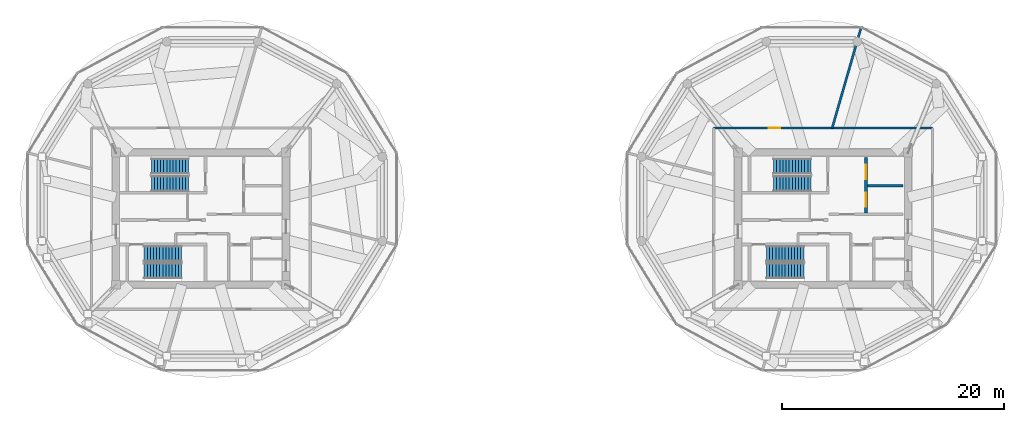
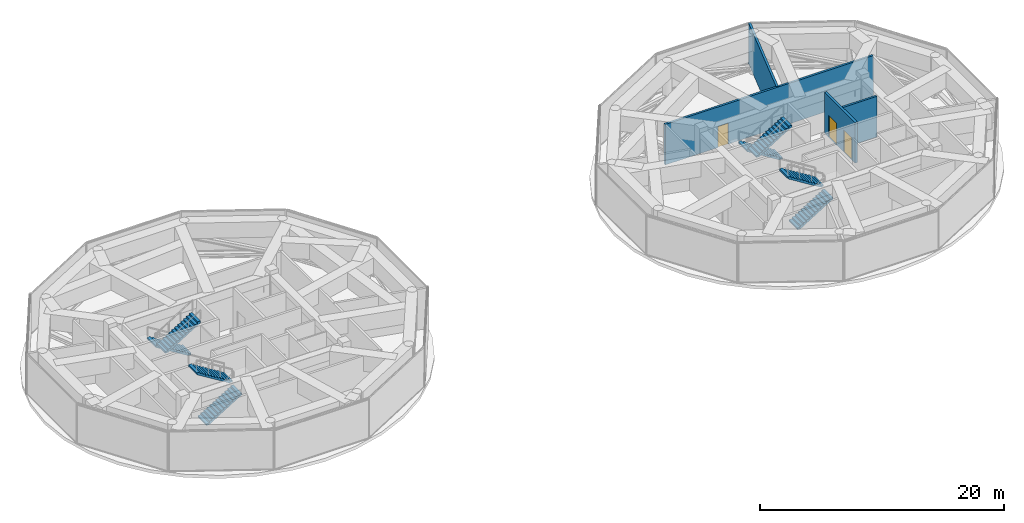
# One storey, part 16 of 20: 8 stair flights, 4 walls, 3 doors, 3 openings, 4 elements without a shape of their own.
"""IFC4 building model written with IfcOpenShell, lengths in metres."""

from ifc_helpers import new_model, si_unit, direction, frame, frame_2d, origin, place, context, subcontext, project, spatial, polyline, rectangle, outline, extrude, source, transform, mapped, material, layer, layer_set, type_object, type_shapes, element, fill, aggregate, save


model = new_model("IFC4")

# Units and contexts
model_context = context("Model", 3, precision=1e-05, world=origin(), true_north=direction((0.0, 1.0)))
body_context = subcontext(model_context, "Body", "Model", "MODEL_VIEW")
ifc_project = project(units=[si_unit("LENGTHUNIT", "METRE"), si_unit("AREAUNIT", "SQUARE_METRE"), si_unit("VOLUMEUNIT", "CUBIC_METRE"), si_unit("PLANEANGLEUNIT", "RADIAN"), si_unit("MASSUNIT", "GRAM", prefix="KILO")], contexts=[model_context])

# Site, building, storey
site_placement = place(None, origin())
site = spatial("IfcSite", under=ifc_project, at=site_placement, CompositionType="ELEMENT")
building_placement = place(site_placement, origin())
building = spatial("IfcBuilding", under=site, at=building_placement, Name="Norrkilde Senior Care Towers", CompositionType="ELEMENT")
storey_placement = place(building_placement, frame((0.0, 0.0, 186.14990234375)))
storey = spatial("IfcBuildingStorey", under=building, at=storey_placement, Name="L58", CompositionType="ELEMENT", Elevation=186.14990234375)

# Wall, openings, doors
ifc_material_1 = material(Name="Concrete C45/55", Category="concrete")
ifc_layer_1 = layer(ifc_material_1, 0.239990234375)
ifc_layer_set_1 = layer_set([ifc_layer_1], Name="Concrete C45/55")
wall_type_1 = type_object("IfcWallType", Name="Lift and Plant Rated Enclosure Partition 240", PredefinedType="PARTITIONING", material=ifc_layer_set_1)
shared_shape_1 = source(origin(), body_context, "Body", "SweptSolid", [
    extrude(rectangle(XDim=5.0, YDim=0.239990234375, at=frame_2d((2.5, 0.0))), origin(), (0.0, 0.0, 1.0), 4.065185546875),
])
type_shapes(wall_type_1, [shared_shape_1])
wall_1_placement = place(storey_placement, frame((31.860107421875, 0.5, 0.0), z_axis=(0.0, 0.0, 1.0), x_axis=(0.0, 1.0, 0.0)))
wall_1 = element("IfcWall", 1, at=wall_1_placement, inside=storey, type_object=wall_type_1, Name="WL-INT-L58-E-FFLE", PredefinedType="PARTITIONING", context=body_context, shape_type="MappedRepresentation", body=[
    mapped(shared_shape_1, transform((0.0, 0.0, 0.0), x_axis=(1.0, 0.0, 0.0), y_axis=(0.0, 1.0, 0.0), z_axis=(0.0, 0.0, 1.0), scale=1.0)),
])
opening_1_placement = place(wall_1_placement, frame((3.050048828125, 0.0, 0.0)))
opening_1 = element("IfcOpeningElement", 2, at=opening_1_placement, cuts=wall_1, Name="Opening LD-02", PredefinedType="OPENING", context=body_context, shape_type="SweptSolid", body=[
    extrude(rectangle(XDim=1.300048828125, YDim=2.199951171875, at=frame_2d((0.64990234375, 1.10009765625))), frame((0.0, 0.1298828125, 0.0), z_axis=(0.0, -1.0, 0.0), x_axis=(1.0, 0.0, 0.0)), (0.0, 0.0, 1.0), 0.260009765625),
])
opening_2_placement = place(wall_1_placement, frame((0.550048828125, 0.0, 0.0)))
opening_2 = element("IfcOpeningElement", 3, at=opening_2_placement, cuts=wall_1, Name="Opening LD-02", PredefinedType="OPENING", context=body_context, shape_type="SweptSolid", body=[
    extrude(rectangle(XDim=1.300048828125, YDim=2.199951171875, at=frame_2d((0.64990234375, 1.10009765625))), frame((0.0, 0.1298828125, 0.0), z_axis=(0.0, -1.0, 0.0), x_axis=(1.0, 0.0, 0.0)), (0.0, 0.0, 1.0), 0.260009765625),
])
ifc_material_2 = material(Name="Stainless Steel", Category="steel")
door_type_1 = type_object("IfcDoorType", Name="Stretcher and FFL Landing Sliding Door 1300x2200", OperationType="NOTDEFINED", PredefinedType="DOOR", material=ifc_material_2)
shared_shape_2 = source(origin(), body_context, "Body", "SweptSolid", [
    extrude(rectangle(XDim=1.300048828125, YDim=2.199951171875, at=frame_2d((0.64990234375, 1.10009765625))), frame((0.0, 0.02490234375, 0.0), z_axis=(0.0, -1.0, 0.0), x_axis=(1.0, 0.0, 0.0)), (0.0, 0.0, 1.0), 0.050048828125),
])
type_shapes(door_type_1, [shared_shape_2])
door_1_placement = place(opening_1_placement, origin())
door_1 = element("IfcDoor", 4, at=door_1_placement, inside=storey, type_object=door_type_1, Name="L58 Firefighting Lift E1 Landing Door", OperationType="SLIDING_TO_LEFT", OverallHeight=2.199951171875, OverallWidth=1.300048828125, PredefinedType="DOOR", context=body_context, shape_type="MappedRepresentation", body=[
    mapped(shared_shape_2, transform((0.0, 0.0, 0.0), x_axis=(1.0, 0.0, 0.0), y_axis=(0.0, 1.0, 0.0), z_axis=(0.0, 0.0, 1.0), scale=1.0)),
])
fill(opening_1, door_1)
door_2_placement = place(opening_2_placement, origin())
door_2 = element("IfcDoor", 5, at=door_2_placement, inside=storey, type_object=door_type_1, Name="L58 Stretcher Lift E1 Landing Door", OperationType="SLIDING_TO_RIGHT", OverallHeight=2.199951171875, OverallWidth=1.300048828125, PredefinedType="DOOR", context=body_context, shape_type="MappedRepresentation", body=[
    mapped(shared_shape_2, transform((0.0, 0.0, 0.0), x_axis=(1.0, 0.0, 0.0), y_axis=(0.0, 1.0, 0.0), z_axis=(0.0, 0.0, 1.0), scale=1.0)),
])
fill(opening_2, door_2)

# Wall
ifc_layer_2 = layer(ifc_material_1, 0.199951171875)
ifc_layer_set_2 = layer_set([ifc_layer_2], Name="Concrete C45/55")
wall_type_2 = type_object("IfcWallType", Name="Shaft Division and Plant Partition 200", PredefinedType="PARTITIONING", material=ifc_layer_set_2)
shared_shape_3 = source(origin(), body_context, "Body", "SweptSolid", [
    extrude(rectangle(XDim=3.199951171875, YDim=0.199951171875, at=frame_2d((1.60009765625, 0.0))), origin(), (0.0, 0.0, 1.0), 4.065185546875),
])
wall_2_placement = place(storey_placement, frame((32.0, 2.949951171875, 0.0), z_axis=(0.0, 0.0, 1.0), x_axis=(1.0, 0.0, 0.0)))
element("IfcWall", 6, at=wall_2_placement, inside=storey, type_object=wall_type_2, Name="WL-INT-L58-E-FFLDIV", PredefinedType="PARTITIONING", context=body_context, shape_type="MappedRepresentation", body=[
    mapped(shared_shape_3, transform((0.0, 0.0, 0.0), x_axis=(1.0, 0.0, 0.0), y_axis=(0.0, 1.0, 0.0), z_axis=(0.0, 0.0, 1.0), scale=1.0)),
])

# Wall, opening, door
shared_shape_4 = source(origin(), body_context, "Body", "SweptSolid", [
    extrude(rectangle(XDim=19.7001953125, YDim=0.199951171875, at=frame_2d((9.85009765625, 0.0))), origin(), (0.0, 0.0, 1.0), 4.065185546875),
])
wall_3_placement = place(storey_placement, frame((18.14990234375, 8.14990234375, 0.0), z_axis=(0.0, 0.0, 1.0), x_axis=(1.0, 0.0, 0.0)))
wall_3 = element("IfcWall", 7, at=wall_3_placement, inside=storey, type_object=wall_type_2, Name="WL-INT-L58-E-PCR-N", PredefinedType="PARTITIONING", context=body_context, shape_type="MappedRepresentation", body=[
    mapped(shared_shape_4, transform((0.0, 0.0, 0.0), x_axis=(1.0, 0.0, 0.0), y_axis=(0.0, 1.0, 0.0), z_axis=(0.0, 0.0, 1.0), scale=1.0)),
])
opening_3_placement = place(wall_3_placement, frame((4.968017578125, 0.0, 0.0)))
opening_3 = element("IfcOpeningElement", 8, at=opening_3_placement, cuts=wall_3, Name="Opening D-10", PredefinedType="OPENING", context=body_context, shape_type="SweptSolid", body=[
    extrude(rectangle(XDim=1.0, YDim=2.10009765625, at=frame_2d((0.5, 1.050048828125))), frame((0.0, 0.10986328125, 0.0), z_axis=(0.0, -1.0, 0.0), x_axis=(1.0, 0.0, 0.0)), (0.0, 0.0, 1.0), 0.219970703125),
])
ifc_material_3 = material(Name="Galvanised Painted Steel", Category="steel")
door_type_2 = type_object("IfcDoorType", Name="Plant and Riser Rated Door 1000x2100", OperationType="NOTDEFINED", PredefinedType="DOOR", material=ifc_material_3)
shared_shape_5 = source(origin(), body_context, "Body", "SweptSolid", [
    extrude(rectangle(XDim=1.0, YDim=2.10009765625, at=frame_2d((0.5, 1.050048828125))), frame((0.0, 0.02490234375, 0.0), z_axis=(0.0, -1.0, 0.0), x_axis=(1.0, 0.0, 0.0)), (0.0, 0.0, 1.0), 0.050048828125),
])
type_shapes(door_type_2, [shared_shape_5])
door_3_placement = place(opening_3_placement, frame((1.0, 0.0, 0.0), z_axis=(0.0, 0.0, 1.0), x_axis=(-1.0, 0.0, 0.0)))
door_3 = element("IfcDoor", 9, at=door_3_placement, inside=storey, type_object=door_type_2, Name="L58 Dedicated Outdoor Air Handling Unit Room Door", OperationType="SINGLE_SWING_LEFT", OverallHeight=2.10009765625, OverallWidth=1.0, PredefinedType="DOOR", context=body_context, shape_type="MappedRepresentation", body=[
    mapped(shared_shape_5, transform((0.0, 0.0, 0.0), x_axis=(1.0, 0.0, 0.0), y_axis=(0.0, 1.0, 0.0), z_axis=(0.0, 0.0, 1.0), scale=1.0)),
])
fill(opening_3, door_3)

# Wall
shared_shape_6 = source(origin(), body_context, "Body", "SweptSolid", [
    extrude(rectangle(XDim=9.449462890625, YDim=0.199951171875, at=frame_2d((4.724609375, 0.0))), origin(), (0.0, 0.0, 1.0), 4.065185546875),
])
type_shapes(wall_type_2, [shared_shape_3, shared_shape_4, shared_shape_6])
wall_4_placement = place(storey_placement, frame((28.811279296875, 8.14990234375, 0.0), z_axis=(0.0, 0.0, 1.0), x_axis=(0.276784966388, 0.96093188228, 0.0)))
element("IfcWall", 10, at=wall_4_placement, inside=storey, type_object=wall_type_2, Name="WL-INT-L58-E-PRAD-2-0", PredefinedType="PARTITIONING", context=body_context, shape_type="MappedRepresentation", body=[
    mapped(shared_shape_6, transform((0.0, 0.0, 0.0), x_axis=(1.0, 0.0, 0.0), y_axis=(0.0, 1.0, 0.0), z_axis=(0.0, 0.0, 1.0), scale=1.0)),
])

# Stair, stair flights
stair_type = type_object("IfcStairType", Name="Core Protected Dogleg Stair Refuge 4500", PredefinedType="HALF_TURN_STAIR", material=ifc_material_1)
stair_1_placement = place(storey_placement, origin())
stair_1 = element("IfcStair", 11, at=stair_1_placement, inside=storey, type_object=stair_type, Name="L58 Protected Core Stair W1", PredefinedType="HALF_TURN_STAIR")
stair_flight_type = type_object("IfcStairFlightType", Name="Core Protected Dogleg Stair Refuge 4500 Flight", PredefinedType="STRAIGHT", material=ifc_material_1)
stair_flight_1_placement = place(storey_placement, frame((-29.10009765625, 4.699951171875, 0.0), z_axis=(0.0, 0.0, 1.0), x_axis=(-1.0, 0.0, 0.0)))
stair_flight_1 = element("IfcStairFlight", 12, at=stair_flight_1_placement, type_object=stair_flight_type, Name="ST-W1 flight 1", NumberOfRisers=13, NumberOfTreads=12, PredefinedType="STRAIGHT", RiserHeight=0.173076923, TreadLength=0.28, context=body_context, shape_type="SweptSolid", body=[
    extrude(outline(polyline([(0.0, 0.0), (0.0, 0.173095703125), (0.280029296875, 0.173095703125), (0.280029296875, 0.34619140625), (0.56005859375, 0.34619140625), (0.56005859375, 0.519287109375), (0.840087890625, 0.519287109375), (0.840087890625, 0.6923828125), (1.1201171875, 0.6923828125), (1.1201171875, 0.865478515625), (1.39990234375, 0.865478515625), (1.39990234375, 1.03857421875), (1.679931640625, 1.03857421875), (1.679931640625, 1.21142578125), (1.9599609375, 1.21142578125), (1.9599609375, 1.384521484375), (2.239990234375, 1.384521484375), (2.239990234375, 1.5576171875), (2.52001953125, 1.5576171875), (2.52001953125, 1.730712890625), (2.800048828125, 1.730712890625), (2.800048828125, 1.90380859375), (3.080078125, 1.90380859375), (3.080078125, 2.076904296875), (3.360107421875, 2.076904296875), (3.360107421875, 2.25), (3.360107421875, 1.900634765625), (0.28515625, 0.0), (0.0, 0.0)])), frame((0.0, 0.699951171875, 0.0), z_axis=(0.0, -1.0, 0.0), x_axis=(1.0, 0.0, 0.0)), (0.0, 0.0, 1.0), 1.39990234375),
])
stair_flight_2_placement = place(storey_placement, frame((-32.4599609375, 3.14990234375, 2.25), z_axis=(0.0, 0.0, 1.0), x_axis=(1.0, 0.0, 0.0)))
stair_flight_2 = element("IfcStairFlight", 13, at=stair_flight_2_placement, type_object=stair_flight_type, Name="ST-W1 flight 2", NumberOfRisers=13, NumberOfTreads=12, PredefinedType="STRAIGHT", RiserHeight=0.173076923, TreadLength=0.28, context=body_context, shape_type="SweptSolid", body=[
    extrude(outline(polyline([(0.0, 0.0), (0.0, 0.173095703125), (0.280029296875, 0.173095703125), (0.280029296875, 0.34619140625), (0.56005859375, 0.34619140625), (0.56005859375, 0.519287109375), (0.840087890625, 0.519287109375), (0.840087890625, 0.6923828125), (1.1201171875, 0.6923828125), (1.1201171875, 0.865478515625), (1.39990234375, 0.865478515625), (1.39990234375, 1.03857421875), (1.679931640625, 1.03857421875), (1.679931640625, 1.21142578125), (1.9599609375, 1.21142578125), (1.9599609375, 1.384521484375), (2.239990234375, 1.384521484375), (2.239990234375, 1.5576171875), (2.52001953125, 1.5576171875), (2.52001953125, 1.730712890625), (2.800048828125, 1.730712890625), (2.800048828125, 1.90380859375), (3.080078125, 1.90380859375), (3.080078125, 2.076904296875), (3.360107421875, 2.076904296875), (3.360107421875, 2.25), (3.360107421875, 1.900634765625), (0.28515625, 0.0), (0.0, 0.0)])), frame((0.0, 0.699951171875, 0.0), z_axis=(0.0, -1.0, 0.0), x_axis=(1.0, 0.0, 0.0)), (0.0, 0.0, 1.0), 1.39990234375),
])
aggregate(stair_1, [stair_flight_1, stair_flight_2])

stair_2_placement = place(storey_placement, origin())
stair_2 = element("IfcStair", 14, at=stair_2_placement, inside=storey, type_object=stair_type, Name="L58 Protected Core Stair W2", PredefinedType="HALF_TURN_STAIR")
stair_flight_3_placement = place(storey_placement, frame((-33.10009765625, -4.699951171875, 0.0), z_axis=(0.0, 0.0, 1.0), x_axis=(1.0, 0.0, 0.0)))
stair_flight_3 = element("IfcStairFlight", 15, at=stair_flight_3_placement, type_object=stair_flight_type, Name="ST-W2 flight 1", NumberOfRisers=13, NumberOfTreads=12, PredefinedType="STRAIGHT", RiserHeight=0.173076923, TreadLength=0.28, context=body_context, shape_type="SweptSolid", body=[
    extrude(outline(polyline([(0.0, 0.0), (0.0, 0.173095703125), (0.280029296875, 0.173095703125), (0.280029296875, 0.34619140625), (0.56005859375, 0.34619140625), (0.56005859375, 0.519287109375), (0.840087890625, 0.519287109375), (0.840087890625, 0.6923828125), (1.1201171875, 0.6923828125), (1.1201171875, 0.865478515625), (1.39990234375, 0.865478515625), (1.39990234375, 1.03857421875), (1.679931640625, 1.03857421875), (1.679931640625, 1.21142578125), (1.9599609375, 1.21142578125), (1.9599609375, 1.384521484375), (2.239990234375, 1.384521484375), (2.239990234375, 1.5576171875), (2.52001953125, 1.5576171875), (2.52001953125, 1.730712890625), (2.800048828125, 1.730712890625), (2.800048828125, 1.90380859375), (3.080078125, 1.90380859375), (3.080078125, 2.076904296875), (3.360107421875, 2.076904296875), (3.360107421875, 2.25), (3.360107421875, 1.900634765625), (0.28515625, 0.0), (0.0, 0.0)])), frame((0.0, 0.699951171875, 0.0), z_axis=(0.0, -1.0, 0.0), x_axis=(1.0, 0.0, 0.0)), (0.0, 0.0, 1.0), 1.39990234375),
])
stair_flight_4_placement = place(storey_placement, frame((-29.739990234375, -3.14990234375, 2.25), z_axis=(0.0, 0.0, 1.0), x_axis=(-1.0, 0.0, 0.0)))
stair_flight_4 = element("IfcStairFlight", 16, at=stair_flight_4_placement, type_object=stair_flight_type, Name="ST-W2 flight 2", NumberOfRisers=13, NumberOfTreads=12, PredefinedType="STRAIGHT", RiserHeight=0.173076923, TreadLength=0.28, context=body_context, shape_type="SweptSolid", body=[
    extrude(outline(polyline([(0.0, 0.0), (0.0, 0.173095703125), (0.280029296875, 0.173095703125), (0.280029296875, 0.34619140625), (0.56005859375, 0.34619140625), (0.56005859375, 0.519287109375), (0.840087890625, 0.519287109375), (0.840087890625, 0.6923828125), (1.1201171875, 0.6923828125), (1.1201171875, 0.865478515625), (1.39990234375, 0.865478515625), (1.39990234375, 1.03857421875), (1.679931640625, 1.03857421875), (1.679931640625, 1.21142578125), (1.9599609375, 1.21142578125), (1.9599609375, 1.384521484375), (2.239990234375, 1.384521484375), (2.239990234375, 1.5576171875), (2.52001953125, 1.5576171875), (2.52001953125, 1.730712890625), (2.800048828125, 1.730712890625), (2.800048828125, 1.90380859375), (3.080078125, 1.90380859375), (3.080078125, 2.076904296875), (3.360107421875, 2.076904296875), (3.360107421875, 2.25), (3.360107421875, 1.900634765625), (0.28515625, 0.0), (0.0, 0.0)])), frame((0.0, 0.699951171875, 0.0), z_axis=(0.0, -1.0, 0.0), x_axis=(1.0, 0.0, 0.0)), (0.0, 0.0, 1.0), 1.39990234375),
])
aggregate(stair_2, [stair_flight_3, stair_flight_4])

stair_3_placement = place(storey_placement, origin())
stair_3 = element("IfcStair", 17, at=stair_3_placement, inside=storey, type_object=stair_type, Name="L58 Protected Core Stair E1", PredefinedType="HALF_TURN_STAIR")
stair_flight_5_placement = place(storey_placement, frame((26.89990234375, 4.699951171875, 0.0), z_axis=(0.0, 0.0, 1.0), x_axis=(-1.0, 0.0, 0.0)))
stair_flight_5 = element("IfcStairFlight", 18, at=stair_flight_5_placement, type_object=stair_flight_type, Name="ST-E1 flight 1", NumberOfRisers=13, NumberOfTreads=12, PredefinedType="STRAIGHT", RiserHeight=0.173076923, TreadLength=0.28, context=body_context, shape_type="SweptSolid", body=[
    extrude(outline(polyline([(0.0, 0.0), (0.0, 0.173095703125), (0.280029296875, 0.173095703125), (0.280029296875, 0.34619140625), (0.56005859375, 0.34619140625), (0.56005859375, 0.519287109375), (0.840087890625, 0.519287109375), (0.840087890625, 0.6923828125), (1.1201171875, 0.6923828125), (1.1201171875, 0.865478515625), (1.39990234375, 0.865478515625), (1.39990234375, 1.03857421875), (1.679931640625, 1.03857421875), (1.679931640625, 1.21142578125), (1.9599609375, 1.21142578125), (1.9599609375, 1.384521484375), (2.239990234375, 1.384521484375), (2.239990234375, 1.5576171875), (2.52001953125, 1.5576171875), (2.52001953125, 1.730712890625), (2.800048828125, 1.730712890625), (2.800048828125, 1.90380859375), (3.080078125, 1.90380859375), (3.080078125, 2.076904296875), (3.360107421875, 2.076904296875), (3.360107421875, 2.25), (3.360107421875, 1.900634765625), (0.28515625, 0.0), (0.0, 0.0)])), frame((0.0, 0.699951171875, 0.0), z_axis=(0.0, -1.0, 0.0), x_axis=(1.0, 0.0, 0.0)), (0.0, 0.0, 1.0), 1.39990234375),
])
stair_flight_6_placement = place(storey_placement, frame((23.5400390625, 3.14990234375, 2.25), z_axis=(0.0, 0.0, 1.0), x_axis=(1.0, 0.0, 0.0)))
stair_flight_6 = element("IfcStairFlight", 19, at=stair_flight_6_placement, type_object=stair_flight_type, Name="ST-E1 flight 2", NumberOfRisers=13, NumberOfTreads=12, PredefinedType="STRAIGHT", RiserHeight=0.173076923, TreadLength=0.28, context=body_context, shape_type="SweptSolid", body=[
    extrude(outline(polyline([(0.0, 0.0), (0.0, 0.173095703125), (0.280029296875, 0.173095703125), (0.280029296875, 0.34619140625), (0.56005859375, 0.34619140625), (0.56005859375, 0.519287109375), (0.840087890625, 0.519287109375), (0.840087890625, 0.6923828125), (1.1201171875, 0.6923828125), (1.1201171875, 0.865478515625), (1.39990234375, 0.865478515625), (1.39990234375, 1.03857421875), (1.679931640625, 1.03857421875), (1.679931640625, 1.21142578125), (1.9599609375, 1.21142578125), (1.9599609375, 1.384521484375), (2.239990234375, 1.384521484375), (2.239990234375, 1.5576171875), (2.52001953125, 1.5576171875), (2.52001953125, 1.730712890625), (2.800048828125, 1.730712890625), (2.800048828125, 1.90380859375), (3.080078125, 1.90380859375), (3.080078125, 2.076904296875), (3.360107421875, 2.076904296875), (3.360107421875, 2.25), (3.360107421875, 1.900634765625), (0.28515625, 0.0), (0.0, 0.0)])), frame((0.0, 0.699951171875, 0.0), z_axis=(0.0, -1.0, 0.0), x_axis=(1.0, 0.0, 0.0)), (0.0, 0.0, 1.0), 1.39990234375),
])
aggregate(stair_3, [stair_flight_5, stair_flight_6])

stair_4_placement = place(storey_placement, origin())
stair_4 = element("IfcStair", 20, at=stair_4_placement, inside=storey, type_object=stair_type, Name="L58 Protected Core Stair E2", PredefinedType="HALF_TURN_STAIR")
stair_flight_7_placement = place(storey_placement, frame((22.89990234375, -4.699951171875, 0.0), z_axis=(0.0, 0.0, 1.0), x_axis=(1.0, 0.0, 0.0)))
stair_flight_7 = element("IfcStairFlight", 21, at=stair_flight_7_placement, type_object=stair_flight_type, Name="ST-E2 flight 1", NumberOfRisers=13, NumberOfTreads=12, PredefinedType="STRAIGHT", RiserHeight=0.173076923, TreadLength=0.28, context=body_context, shape_type="SweptSolid", body=[
    extrude(outline(polyline([(0.0, 0.0), (0.0, 0.173095703125), (0.280029296875, 0.173095703125), (0.280029296875, 0.34619140625), (0.56005859375, 0.34619140625), (0.56005859375, 0.519287109375), (0.840087890625, 0.519287109375), (0.840087890625, 0.6923828125), (1.1201171875, 0.6923828125), (1.1201171875, 0.865478515625), (1.39990234375, 0.865478515625), (1.39990234375, 1.03857421875), (1.679931640625, 1.03857421875), (1.679931640625, 1.21142578125), (1.9599609375, 1.21142578125), (1.9599609375, 1.384521484375), (2.239990234375, 1.384521484375), (2.239990234375, 1.5576171875), (2.52001953125, 1.5576171875), (2.52001953125, 1.730712890625), (2.800048828125, 1.730712890625), (2.800048828125, 1.90380859375), (3.080078125, 1.90380859375), (3.080078125, 2.076904296875), (3.360107421875, 2.076904296875), (3.360107421875, 2.25), (3.360107421875, 1.900634765625), (0.28515625, 0.0), (0.0, 0.0)])), frame((0.0, 0.699951171875, 0.0), z_axis=(0.0, -1.0, 0.0), x_axis=(1.0, 0.0, 0.0)), (0.0, 0.0, 1.0), 1.39990234375),
])
stair_flight_8_placement = place(storey_placement, frame((26.260009765625, -3.14990234375, 2.25), z_axis=(0.0, 0.0, 1.0), x_axis=(-1.0, 0.0, 0.0)))
stair_flight_8 = element("IfcStairFlight", 22, at=stair_flight_8_placement, type_object=stair_flight_type, Name="ST-E2 flight 2", NumberOfRisers=13, NumberOfTreads=12, PredefinedType="STRAIGHT", RiserHeight=0.173076923, TreadLength=0.28, context=body_context, shape_type="SweptSolid", body=[
    extrude(outline(polyline([(0.0, 0.0), (0.0, 0.173095703125), (0.280029296875, 0.173095703125), (0.280029296875, 0.34619140625), (0.56005859375, 0.34619140625), (0.56005859375, 0.519287109375), (0.840087890625, 0.519287109375), (0.840087890625, 0.6923828125), (1.1201171875, 0.6923828125), (1.1201171875, 0.865478515625), (1.39990234375, 0.865478515625), (1.39990234375, 1.03857421875), (1.679931640625, 1.03857421875), (1.679931640625, 1.21142578125), (1.9599609375, 1.21142578125), (1.9599609375, 1.384521484375), (2.239990234375, 1.384521484375), (2.239990234375, 1.5576171875), (2.52001953125, 1.5576171875), (2.52001953125, 1.730712890625), (2.800048828125, 1.730712890625), (2.800048828125, 1.90380859375), (3.080078125, 1.90380859375), (3.080078125, 2.076904296875), (3.360107421875, 2.076904296875), (3.360107421875, 2.25), (3.360107421875, 1.900634765625), (0.28515625, 0.0), (0.0, 0.0)])), frame((0.0, 0.699951171875, 0.0), z_axis=(0.0, -1.0, 0.0), x_axis=(1.0, 0.0, 0.0)), (0.0, 0.0, 1.0), 1.39990234375),
])
aggregate(stair_4, [stair_flight_7, stair_flight_8])

save(model, "model.ifc")
